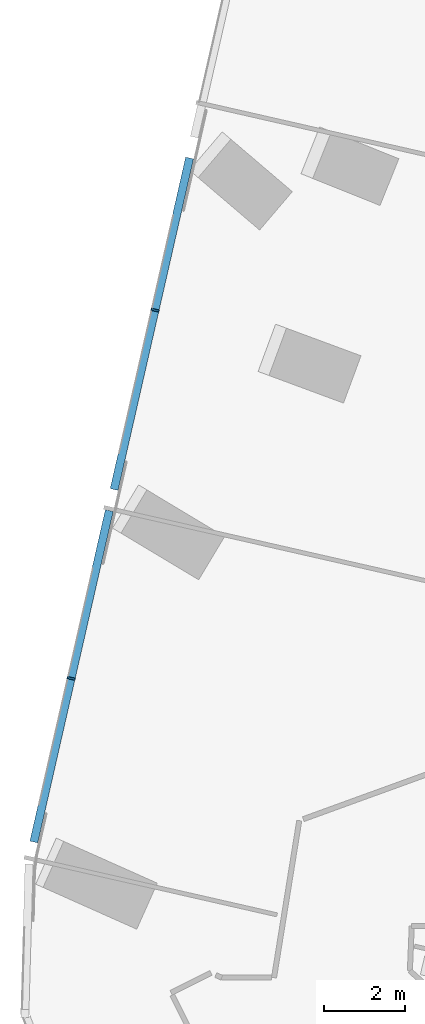
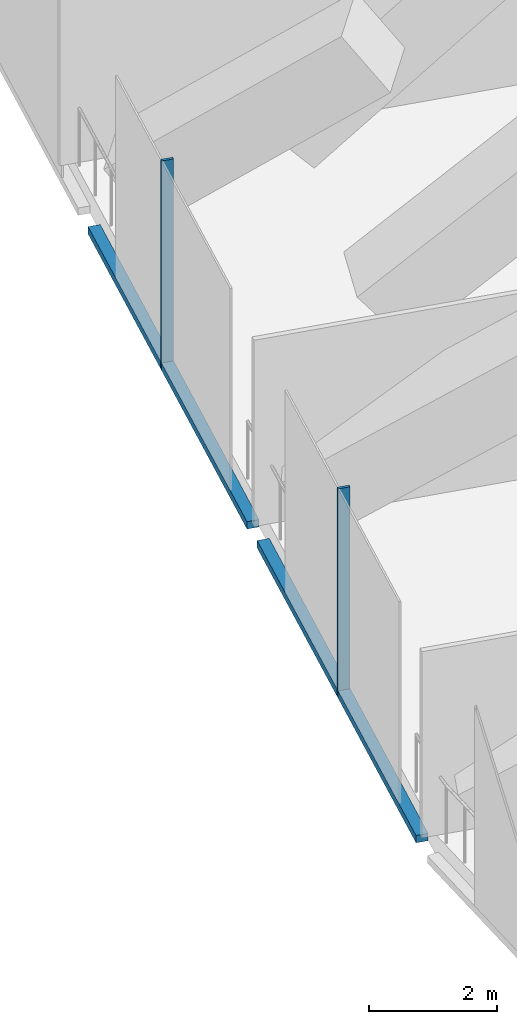
# One storey, part 4 of 29: 4 members, 1 element without a shape of its own.
"""IFC4 building model written with IfcOpenShell, lengths in metres."""

from ifc_helpers import new_model, si_unit, direction, frame, origin, origin_2d, place, context, subcontext, project, spatial, rectangle, extrude, material, material_profile, profile_set, type_object, element, aggregate, save


model = new_model("IFC4")

# Units and contexts
model_context = context("Model", 3, precision=1e-05, world=origin(), true_north=direction((0.0, 1.0)))
body_context = subcontext(model_context, "Body", "Model", "MODEL_VIEW")
ifc_project = project(units=[si_unit("LENGTHUNIT", "METRE"), si_unit("AREAUNIT", "SQUARE_METRE"), si_unit("VOLUMEUNIT", "CUBIC_METRE"), si_unit("PLANEANGLEUNIT", "RADIAN"), si_unit("MASSUNIT", "GRAM", prefix="KILO")], contexts=[model_context])

# Site, building, storey
site_placement = place(None, origin())
site = spatial("IfcSite", under=ifc_project, at=site_placement, CompositionType="ELEMENT")
building_placement = place(site_placement, origin())
building = spatial("IfcBuilding", under=site, at=building_placement, Name="Orlundy Tower", CompositionType="ELEMENT")
storey_placement = place(building_placement, frame((0.0, 0.0, 184.60009765625)))
storey = spatial("IfcBuildingStorey", under=building, at=storey_placement, Name="L48", CompositionType="ELEMENT", Elevation=184.60009765625)

# Curtain wall, members
ifc_material_1 = material(Name="Aluminium bronze anodised", Category="aluminium")
curtain_wall_type = type_object("IfcCurtainWallType", Name="CW5 wall", PredefinedType="NOTDEFINED", material=ifc_material_1)
curtain_wall_placement = place(storey_placement, origin())
curtain_wall = element("IfcCurtainWall", 1, at=curtain_wall_placement, inside=storey, type_object=curtain_wall_type, Name="CW5 run 044", PredefinedType="NOTDEFINED")
ifc_material_2 = material(Name="Aluminium bronze anodised", Category="aluminium")
ifc_material_profile_1 = material_profile(ifc_material_2, rectangle(XDim=0.199951171875, YDim=0.050048828125, at=origin_2d()), Name="CW5 mullion 50x200")
ifc_profile_set_1 = profile_set([ifc_material_profile_1], Name="Aluminium bronze anodised")
member_type_1 = type_object("IfcMemberType", Name="CW5 mullion 50x200", PredefinedType="MULLION", material=ifc_profile_set_1)
member_1_placement = place(storey_placement, frame((-29.88525390625, -40.6943359375, -0.420166015625), z_axis=(0.0, 0.0, 1.0), x_axis=(-0.975026493894, 0.222088577386, 0.0)))
member_1 = element("IfcMember", 2, at=member_1_placement, type_object=member_type_1, Name="CW5 mullion 65", PredefinedType="MULLION", context=body_context, shape_type="SweptSolid", body=[
    extrude(rectangle(XDim=0.199951171875, YDim=0.050048828125, at=origin_2d()), origin(), (0.0, 0.0, 1.0), 4.0),
])
member_2_placement = place(storey_placement, frame((-27.804443359375, -31.559814453125, -0.420166015625), z_axis=(0.0, 0.0, 1.0), x_axis=(-0.975026493894, 0.222088577386, 0.0)))
member_2 = element("IfcMember", 3, at=member_2_placement, type_object=member_type_1, Name="CW5 mullion 67", PredefinedType="MULLION", context=body_context, shape_type="SweptSolid", body=[
    extrude(rectangle(XDim=0.199951171875, YDim=0.050048828125, at=origin_2d()), origin(), (0.0, 0.0, 1.0), 4.0),
])
ifc_material_3 = material(Name="Aluminium bronze anodised", Category="aluminium")
ifc_material_profile_2 = material_profile(ifc_material_3, rectangle(XDim=0.199951171875, YDim=0.139892578125, at=origin_2d()), Name="CW5 transom 200x140")
ifc_profile_set_2 = profile_set([ifc_material_profile_2], Name="Aluminium bronze anodised")
member_type_2 = type_object("IfcMemberType", Name="CW5 transom 200x140", PredefinedType="USERDEFINED", material=ifc_profile_set_2)
member_3_placement = place(storey_placement, frame((-30.809326171875, -44.751953125, -0.35009765625), z_axis=(0.222081681818, 0.97502806452, 0.0), x_axis=(-0.97502806452, 0.222081681818, 0.0)))
member_3 = element("IfcMember", 4, at=member_3_placement, type_object=member_type_2, Name="CW5 transom", ObjectType="TRANSOM", PredefinedType="USERDEFINED", context=body_context, shape_type="SweptSolid", body=[
    extrude(rectangle(XDim=0.199951171875, YDim=0.139892578125, at=origin_2d()), origin(), (0.0, 0.0, 1.0), 8.4306640625),
])
member_4_placement = place(storey_placement, frame((-28.81787109375, -36.009033203125, -0.35009765625), z_axis=(0.222074039081, 0.975029805271, 0.0), x_axis=(-0.975029805271, 0.222074039081, 0.0)))
member_4 = element("IfcMember", 5, at=member_4_placement, type_object=member_type_2, Name="CW5 transom", ObjectType="TRANSOM", PredefinedType="USERDEFINED", context=body_context, shape_type="SweptSolid", body=[
    extrude(rectangle(XDim=0.199951171875, YDim=0.139892578125, at=origin_2d()), origin(), (0.0, 0.0, 1.0), 8.433349609375),
])
aggregate(curtain_wall, [member_1, member_2, member_3, member_4])

save(model, "model.ifc")
